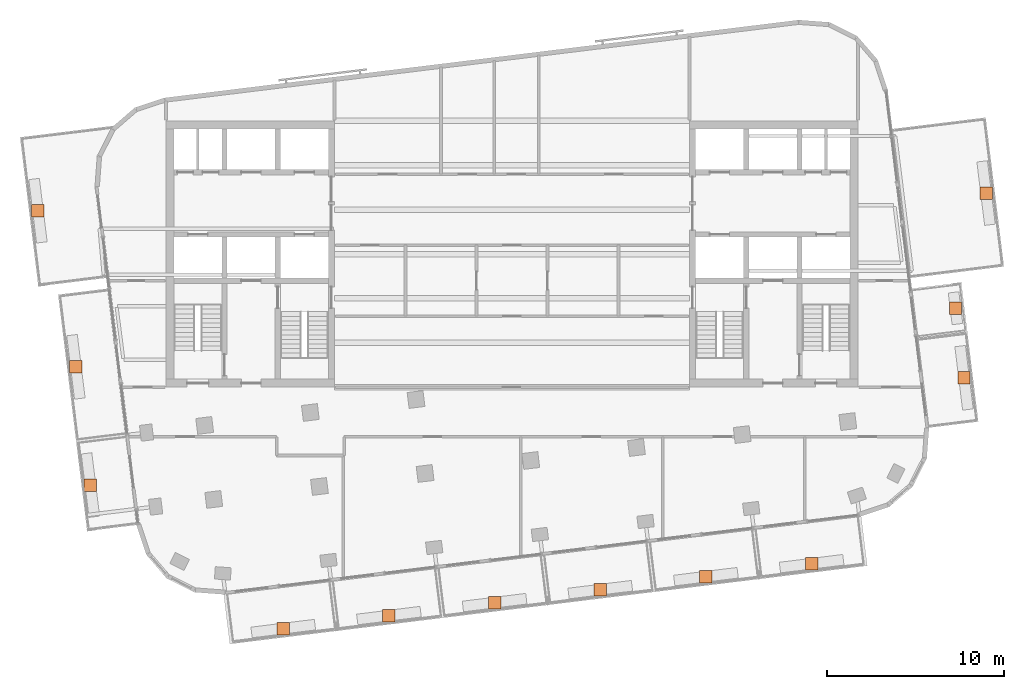
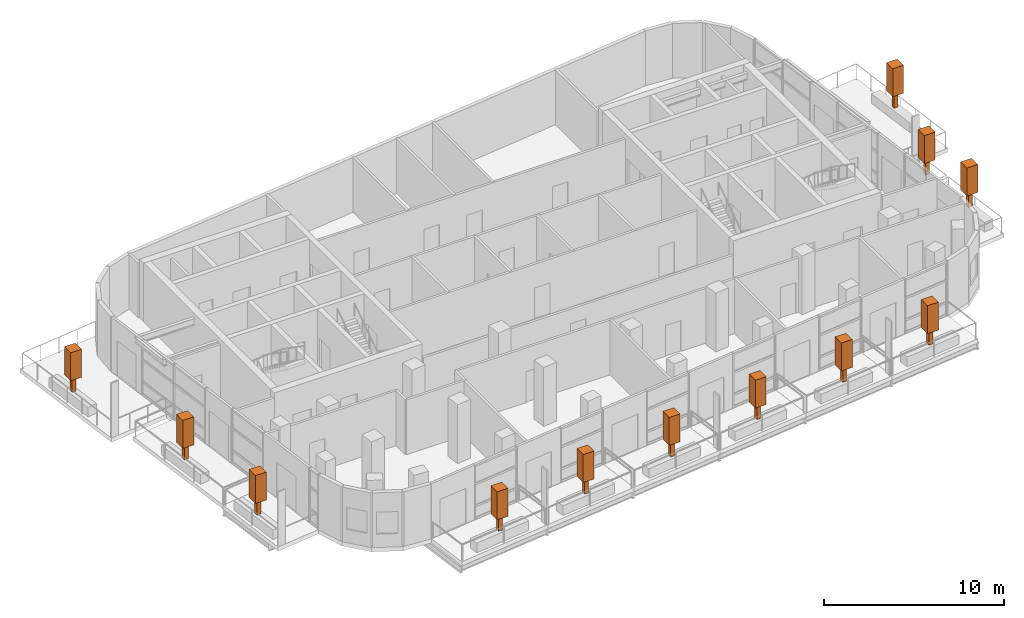
# One storey, part 14 of 14: 12 geographic elements.
"""IFC4 building model written with IfcOpenShell, lengths in metres."""

from ifc_helpers import new_model, si_unit, direction, frame, origin, origin_2d, place, context, subcontext, project, spatial, rectangle, extrude, material, element, save


model = new_model("IFC4")

# Units and contexts
model_context = context("Model", 3, precision=1e-05, world=origin(), true_north=direction((0.0, 1.0)))
body_context = subcontext(model_context, "Body", "Model", "MODEL_VIEW")
ifc_project = project(units=[si_unit("LENGTHUNIT", "METRE"), si_unit("AREAUNIT", "SQUARE_METRE"), si_unit("VOLUMEUNIT", "CUBIC_METRE"), si_unit("PLANEANGLEUNIT", "RADIAN"), si_unit("MASSUNIT", "GRAM", prefix="KILO")], contexts=[model_context])

# Site, building, storey
site_placement = place(None, origin())
site = spatial("IfcSite", under=ifc_project, at=site_placement, CompositionType="ELEMENT")
building_placement = place(site_placement, origin())
building = spatial("IfcBuilding", under=site, at=building_placement, Name="Torana Hotel and Residences", CompositionType="ELEMENT")
storey_placement = place(building_placement, frame((0.0, 0.0, 338.60009765625)))
storey = spatial("IfcBuildingStorey", under=building, at=storey_placement, Name="L89", CompositionType="ELEMENT", Elevation=338.60009765625)

# Geographic elements
ifc_material = material(Name="Foliage", Category="planting")
for number, where, z_axis, x_axis, name in (
    (1, (-12.8896484375, -28.605712890625, 0.64990234375), (0.0, 0.0, 1.0), (1.0, 0.0, 0.0), "Tree 01"),
    (2, (-6.934326171875, -27.87451171875, 0.64990234375), (0.0, 0.0, 1.0), (1.0, 0.0, 0.0), "Tree 02"),
    (3, (-0.97900390625, -27.143310546875, 0.64990234375), (0.0, 0.0, 1.0), (1.0, 0.0, 0.0), "Tree 03"),
    (4, (4.976318359375, -26.412109375, 0.64990234375), (0.0, 0.0, 1.0), (1.0, 0.0, 0.0), "Tree 04"),
    (5, (10.931396484375, -25.680908203125, 0.64990234375), (0.0, 0.0, 1.0), (1.0, 0.0, 0.0), "Tree 05"),
    (6, (16.88671875, -24.94970703125, 0.64990234375), (0.0, 0.0, 1.0), (1.0, 0.0, 0.0), "Tree 06"),
    (7, (-23.756103515625, -20.519775390625, 0.64990234375), (0.0, 0.0, 1.0), (1.0, 0.0, 0.0), "Tree 07"),
    (8, (-24.573974609375, -13.857421875, 0.64990234375), (0.0, 0.0, 1.0), (1.0, 0.0, 0.0), "Tree 08"),
    (9, (-26.71240234375, -5.058349609375, 0.64990234375), (0.0, 0.0, 1.0), (1.0, 0.0, 0.0), "Tree 09"),
    (10, (25.474365234375, -14.47509765625, 0.64990234375), (0.0, 0.0, 1.0), (1.0, 0.0, 0.0), "Tree 10"),
    (11, (24.992919921875, -10.5546875, 0.64990234375), (0.0, 0.0, 1.0), (1.0, 0.0, 0.0), "Tree 11"),
    (12, (26.71484375, -4.06494140625, 0.64990234375), (0.0, 0.0, 1.0), (1.0, 0.0, 0.0), "Tree 12"),
):
    element("IfcGeographicElement", number, at=place(storey_placement, frame(where, z_axis=z_axis, x_axis=x_axis)), inside=storey, material=ifc_material, Name=name, ObjectType="TREE", PredefinedType="USERDEFINED", context=body_context, shape_type="SweptSolid", body=[
        extrude(rectangle(XDim=0.25, YDim=0.25, at=origin_2d()), origin(), (0.0, 0.0, 1.0), 1.0),
        extrude(rectangle(XDim=0.699951171875, YDim=0.699951171875, at=origin_2d()), frame((0.0, 0.0, 1.0)), (0.0, 0.0, 1.0), 1.89990234375),
    ])

save(model, "model.ifc")
